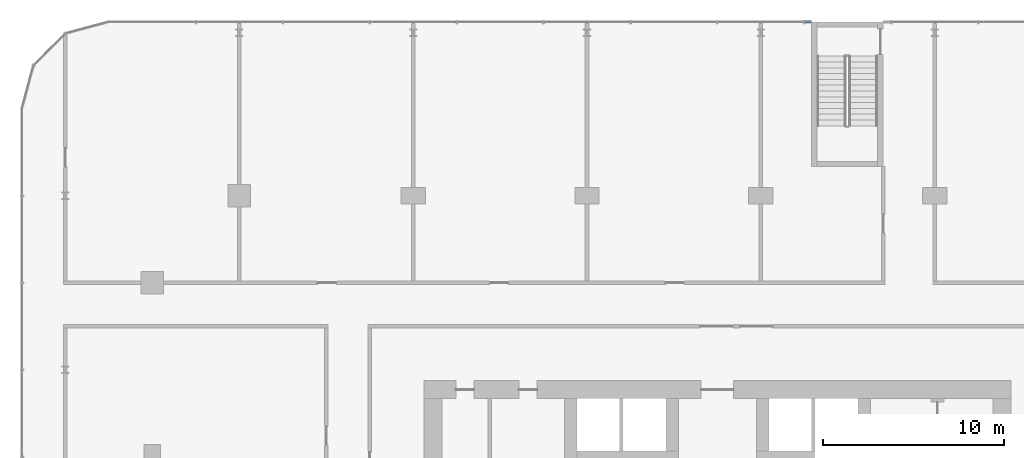
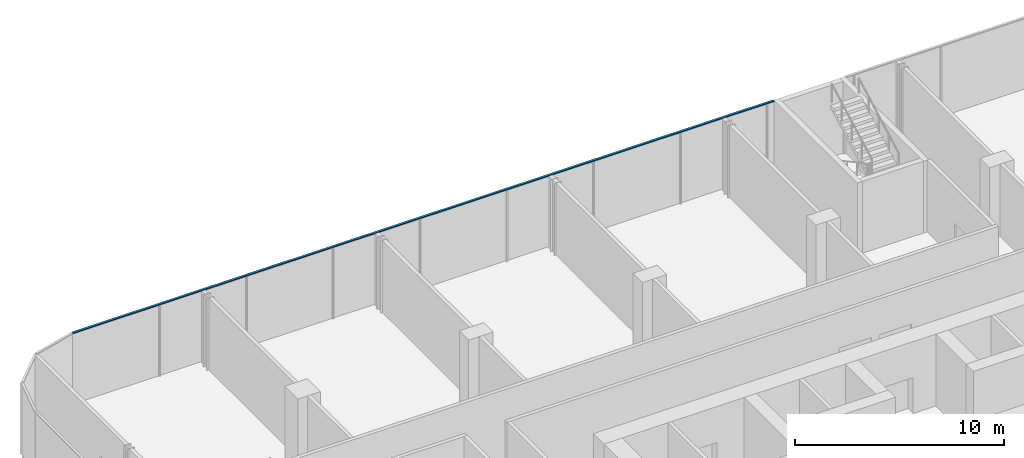
# One storey, part 18 of 45: 1 member, 1 element without a shape of its own.
"""IFC4 building model written with IfcOpenShell, lengths in metres."""

from ifc_helpers import new_model, si_unit, direction, frame, origin, origin_2d, place, context, subcontext, project, spatial, rectangle, extrude, material, layer, layer_set, material_profile, profile_set, type_object, element, aggregate, save


model = new_model("IFC4")

# Units and contexts
model_context = context("Model", 3, precision=1e-05, world=origin(), true_north=direction((0.0, 1.0)))
body_context = subcontext(model_context, "Body", "Model", "MODEL_VIEW")
ifc_project = project(units=[si_unit("LENGTHUNIT", "METRE"), si_unit("AREAUNIT", "SQUARE_METRE"), si_unit("VOLUMEUNIT", "CUBIC_METRE"), si_unit("PLANEANGLEUNIT", "RADIAN"), si_unit("MASSUNIT", "GRAM", prefix="KILO")], contexts=[model_context])

# Site, building, storey
site_placement = place(None, origin())
site = spatial("IfcSite", under=ifc_project, at=site_placement, CompositionType="ELEMENT")
building_placement = place(site_placement, origin())
building = spatial("IfcBuilding", under=site, at=building_placement, Name="Madar Terraces", CompositionType="ELEMENT")
storey_placement = place(building_placement, frame((0.0, 0.0, 6.0)))
storey = spatial("IfcBuildingStorey", under=building, at=storey_placement, Name="L01", CompositionType="ELEMENT", Elevation=6.0)

# Curtain wall, member
ifc_material_1 = material(Name="Glass, clear low-iron, with black aluminium frame", Category="aluminium")
ifc_layer = layer(ifc_material_1, 0.199951171875)
ifc_layer_set = layer_set([ifc_layer], Name="Facade curtain wall, shopfront glazing")
curtain_wall_type = type_object("IfcCurtainWallType", Name="Facade curtain wall, shopfront glazing", PredefinedType="NOTDEFINED", material=ifc_layer_set)
curtain_wall_placement = place(storey_placement, origin())
curtain_wall = element("IfcCurtainWall", 1, at=curtain_wall_placement, inside=storey, type_object=curtain_wall_type, Name="Outer skin curtain wall north bay 1", PredefinedType="NOTDEFINED")
ifc_material_2 = material(Name="Aluminium, black anodised", Category="aluminium")
ifc_material_profile = material_profile(ifc_material_2, rectangle(XDim=0.1201171875, YDim=0.06005859375, at=origin_2d()), Name="Facade transom 60x120")
ifc_profile_set = profile_set([ifc_material_profile], Name="Aluminium, black anodised")
member_type = type_object("IfcMemberType", Name="Facade transom 60x120", PredefinedType="USERDEFINED", material=ifc_profile_set)
member_placement = place(storey_placement, frame((36.39990234375, 57.60009765625, 4.169921875), z_axis=(-1.0, 0.0, 0.0), x_axis=(0.0, -1.0, 0.0)))
member = element("IfcMember", 2, at=member_placement, type_object=member_type, Name="Transom 2", ObjectType="TRANSOM", PredefinedType="USERDEFINED", context=body_context, shape_type="SweptSolid", body=[
    extrude(rectangle(XDim=0.1201171875, YDim=0.06005859375, at=origin_2d()), origin(), (0.0, 0.0, 1.0), 38.7998046875),
])
aggregate(curtain_wall, [member])

save(model, "model.ifc")
